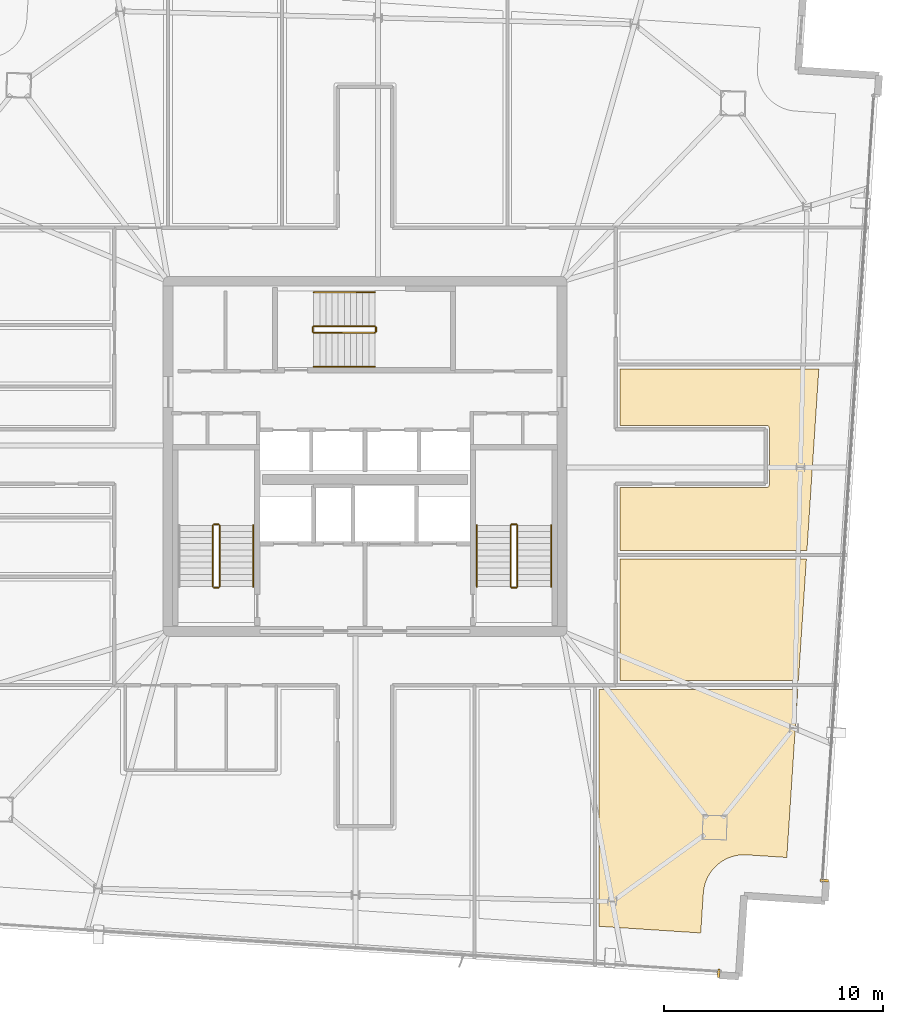
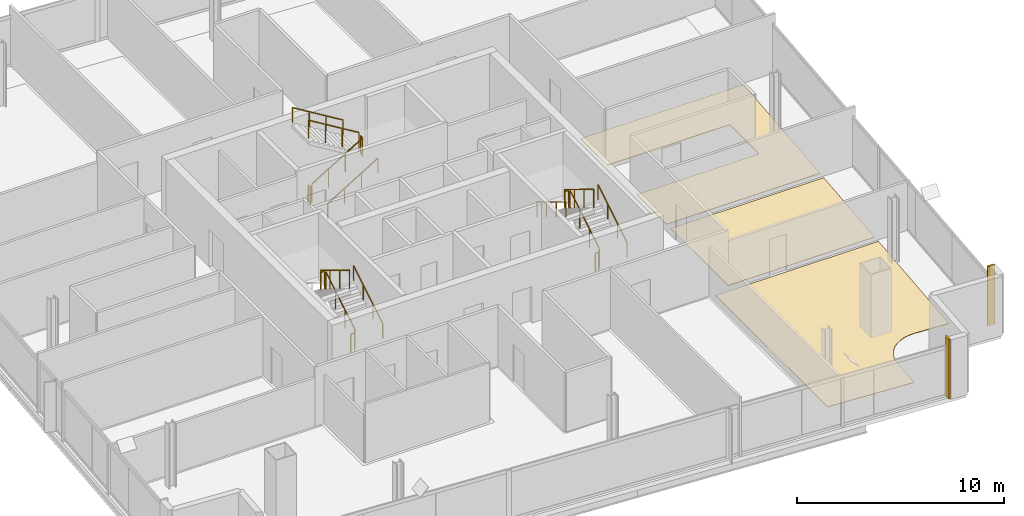
# One storey, part 23 of 24: 17 railings, 5 coverings.
"""IFC4 building model written with IfcOpenShell, lengths in metres."""

from ifc_helpers import new_model, si_unit, direction, frame, origin, origin_2d, place, context, subcontext, project, spatial, polyline, rectangle, outline, extrude, source, transform, mapped, material, layer, layer_set, type_object, element, save


model = new_model("IFC4")

# Units and contexts
model_context = context("Model", 3, precision=1e-05, world=origin(), true_north=direction((0.0, 1.0)))
body_context = subcontext(model_context, "Body", "Model", "MODEL_VIEW")
ifc_project = project(units=[si_unit("LENGTHUNIT", "METRE"), si_unit("AREAUNIT", "SQUARE_METRE"), si_unit("VOLUMEUNIT", "CUBIC_METRE"), si_unit("PLANEANGLEUNIT", "RADIAN"), si_unit("MASSUNIT", "GRAM", prefix="KILO")], contexts=[model_context])

# Site, building, storey
site_placement = place(None, origin())
site = spatial("IfcSite", under=ifc_project, at=site_placement, CompositionType="ELEMENT")
building_placement = place(site_placement, origin())
building = spatial("IfcBuilding", under=site, at=building_placement, Name="Haldenkirk Collegiate Tower", CompositionType="ELEMENT")
storey_placement = place(building_placement, frame((0.0, 0.0, 317.699951171875)))
storey = spatial("IfcBuildingStorey", under=building, at=storey_placement, Name="L80", CompositionType="ELEMENT", Elevation=317.699951171875)

# Coverings
ifc_material_1 = material(Name="Polished collegiate terrazzo", Category="concrete")
ifc_layer_1 = layer(ifc_material_1, 0.02490234375)
ifc_layer_set_1 = layer_set([ifc_layer_1], Name="Polished collegiate terrazzo")
covering_type_1 = type_object("IfcCoveringType", Name="COV-FLOOR-TERRAZZO", PredefinedType="FLOORING", material=ifc_layer_set_1)
covering_1_placement = place(storey_placement, origin())
element("IfcCovering", 1, at=covering_1_placement, inside=storey, type_object=covering_type_1, Name="L80 academic room finish 14", PredefinedType="FLOORING", context=body_context, shape_type="SweptSolid", body=[
    extrude(outline(polyline([(54.35009765625, 24.580078125), (54.36181640625, 24.58056640625), (54.373291015625, 24.582275390625), (54.384765625, 24.585205078125), (54.39599609375, 24.589111328125), (54.406494140625, 24.59423828125), (54.416748046875, 24.60009765625), (54.426025390625, 24.607177734375), (54.434814453125, 24.614990234375), (54.44287109375, 24.623779296875), (54.44970703125, 24.63330078125), (54.455810546875, 24.643310546875), (54.4609375, 24.654052734375), (54.46484375, 24.665283203125), (54.4677734375, 24.676513671875), (54.469482421875, 24.688232421875), (54.469970703125, 24.699951171875), (54.469970703125, 27.300048828125), (54.469482421875, 27.311767578125), (54.4677734375, 27.323486328125), (54.46484375, 27.334716796875), (54.4609375, 27.345947265625), (54.455810546875, 27.356689453125), (54.44970703125, 27.36669921875), (54.44287109375, 27.376220703125), (54.434814453125, 27.385009765625), (54.426025390625, 27.392822265625), (54.416748046875, 27.39990234375), (54.406494140625, 27.40576171875), (54.39599609375, 27.410888671875), (54.384765625, 27.414794921875), (54.373291015625, 27.417724609375), (54.36181640625, 27.41943359375), (54.35009765625, 27.419921875), (47.64990234375, 27.419921875), (47.64990234375, 30.0), (56.736083984375, 30.0), (56.19189453125, 21.699951171875), (47.64990234375, 21.699951171875), (47.64990234375, 24.580078125), (54.35009765625, 24.580078125)])), origin(), (0.0, 0.0, 1.0), 0.025146484375),
])
ifc_material_2 = material(Name="Engineered collegiate oak acoustic flooring", Category="wood")
ifc_layer_2 = layer(ifc_material_2, 0.02197265625)
ifc_layer_set_2 = layer_set([ifc_layer_2], Name="Engineered collegiate oak acoustic flooring")
covering_type_2 = type_object("IfcCoveringType", Name="COV-FLOOR-TIMBER", PredefinedType="FLOORING", material=ifc_layer_set_2)
covering_2_placement = place(storey_placement, origin())
element("IfcCovering", 2, at=covering_2_placement, inside=storey, type_object=covering_type_2, Name="L80 academic room finish 03", PredefinedType="FLOORING", context=body_context, shape_type="SweptSolid", body=[
    extrude(outline(polyline([(52.728515625, 7.696533203125), (52.717529296875, 7.692626953125), (52.557861328125, 7.629638671875), (52.547119140625, 7.624755859375), (52.394287109375, 7.546142578125), (52.384033203125, 7.540283203125), (52.23974609375, 7.447509765625), (52.230224609375, 7.4404296875), (52.095703125, 7.333740234375), (52.0869140625, 7.325927734375), (51.96337890625, 7.20654296875), (51.955322265625, 7.197998046875), (51.84423828125, 7.06689453125), (51.8369140625, 7.0576171875), (51.7392578125, 6.91650390625), (51.733154296875, 6.906494140625), (51.649658203125, 6.75634765625), (51.64453125, 6.74560546875), (51.576171875, 6.588134765625), (51.572021484375, 6.5771484375), (51.51953125, 6.413818359375), (51.516357421875, 6.402099609375), (51.480224609375, 6.234375), (51.478271484375, 6.222900390625), (51.45849609375, 6.05224609375), (51.4580078125, 6.04638671875), (51.33837890625, 4.22021484375), (46.699951171875, 4.524169921875), (46.699951171875, 15.35009765625), (55.77587890625, 15.35009765625), (55.2724609375, 7.67041015625), (53.446533203125, 7.7900390625), (53.440673828125, 7.790283203125), (53.268798828125, 7.793212890625), (53.2568359375, 7.792724609375), (53.085693359375, 7.778564453125), (53.07421875, 7.777099609375), (52.9052734375, 7.746337890625), (52.893798828125, 7.74365234375), (52.728515625, 7.696533203125)])), origin(), (0.0, 0.0, 1.0), 0.02197265625),
])
covering_3_placement = place(storey_placement, origin())
element("IfcCovering", 3, at=covering_3_placement, inside=storey, type_object=covering_type_2, Name="L80 academic room finish 13", PredefinedType="FLOORING", context=body_context, shape_type="SweptSolid", body=[
    extrude(outline(polyline([(55.802001953125, 15.75), (47.64990234375, 15.75), (47.64990234375, 21.300048828125), (56.165771484375, 21.300048828125), (55.802001953125, 15.75)])), origin(), (0.0, 0.0, 1.0), 0.02197265625),
])

# Railings
ifc_material_3 = material(Name="Painted architectural tubular steel", Category="steel")
railing_type_1 = type_object("IfcRailingType", Name="RLG-STAIR-GUARD-1100", PredefinedType="BALUSTRADE", material=ifc_material_3)
railing_1_placement = place(storey_placement, frame((29.35009765625, 20.050048828125, 0.17041015625)))
element("IfcRailing", 4, at=railing_1_placement, inside=storey, type_object=railing_type_1, Name="L80 ST-1 stair guard 1", PredefinedType="BALUSTRADE", context=body_context, shape_type="SweptSolid", body=[
    extrude(rectangle(XDim=0.048095703125, YDim=0.048095703125, at=origin_2d()), frame((0.0, 0.0, 1.076171875), z_axis=(0.0, 0.854169791009, 0.51999420009), x_axis=(-1.0, 0.0, 0.0)), (0.0, 0.0, 1.0), 3.278076171875),
    extrude(rectangle(XDim=0.0419921875, YDim=0.0419921875, at=origin_2d()), origin(), (0.0, 0.0, 1.0), 1.052001953125),
    extrude(rectangle(XDim=0.0419921875, YDim=0.0419921875, at=origin_2d()), frame((0.0, 0.933349609375, 0.568115234375)), (0.0, 0.0, 1.0), 1.052001953125),
    extrude(rectangle(XDim=0.0419921875, YDim=0.0419921875, at=origin_2d()), frame((0.0, 1.86669921875, 1.136474609375)), (0.0, 0.0, 1.0), 1.052001953125),
    extrude(rectangle(XDim=0.0419921875, YDim=0.0419921875, at=origin_2d()), frame((0.0, 2.800048828125, 1.70458984375)), (0.0, 0.0, 1.0), 1.052001953125),
])
railing_2_placement = place(storey_placement, frame((29.300048828125, 22.89990234375, 1.875)))
element("IfcRailing", 5, at=railing_2_placement, inside=storey, type_object=railing_type_1, Name="L80 ST-1 stair guard 2", PredefinedType="BALUSTRADE", context=body_context, shape_type="SweptSolid", body=[
    extrude(rectangle(XDim=0.048095703125, YDim=0.048095703125, at=origin_2d()), frame((0.0, 0.0, 1.076171875), z_axis=(-1.0, 0.0, 0.0), x_axis=(0.0, -1.0, 0.0)), (0.0, 0.0, 1.0), 0.199951171875),
    extrude(rectangle(XDim=0.0419921875, YDim=0.0419921875, at=origin_2d()), origin(), (0.0, 0.0, 1.0), 1.052001953125),
    extrude(rectangle(XDim=0.0419921875, YDim=0.0419921875, at=origin_2d()), frame((-0.199951171875, 0.0, 0.0)), (0.0, 0.0, 1.0), 1.052001953125),
])
railing_3_placement = place(storey_placement, frame((29.050048828125, 22.85009765625, 2.04541015625)))
element("IfcRailing", 6, at=railing_3_placement, inside=storey, type_object=railing_type_1, Name="L80 ST-1 stair guard 3", PredefinedType="BALUSTRADE", context=body_context, shape_type="SweptSolid", body=[
    extrude(rectangle(XDim=0.048095703125, YDim=0.048095703125, at=origin_2d()), frame((0.0, 0.0, 1.076171875), z_axis=(0.0, -0.854169791009, 0.51999420009), x_axis=(1.0, 0.0, 0.0)), (0.0, 0.0, 1.0), 3.278076171875),
    extrude(rectangle(XDim=0.0419921875, YDim=0.0419921875, at=origin_2d()), origin(), (0.0, 0.0, 1.0), 1.052001953125),
    extrude(rectangle(XDim=0.0419921875, YDim=0.0419921875, at=origin_2d()), frame((0.0, -0.933349609375, 0.568115234375)), (0.0, 0.0, 1.0), 1.052001953125),
    extrude(rectangle(XDim=0.0419921875, YDim=0.0419921875, at=origin_2d()), frame((0.0, -1.86669921875, 1.136474609375)), (0.0, 0.0, 1.0), 1.052001953125),
    extrude(rectangle(XDim=0.0419921875, YDim=0.0419921875, at=origin_2d()), frame((0.0, -2.800048828125, 1.70458984375)), (0.0, 0.0, 1.0), 1.052001953125),
])
railing_4_placement = place(storey_placement, frame((29.300048828125, 20.0, 0.0)))
element("IfcRailing", 7, at=railing_4_placement, inside=storey, type_object=railing_type_1, Name="L80 ST-1 stair guard 4", PredefinedType="BALUSTRADE", context=body_context, shape_type="SweptSolid", body=[
    extrude(rectangle(XDim=0.048095703125, YDim=0.048095703125, at=origin_2d()), frame((0.0, 0.0, 1.076171875), z_axis=(-1.0, 0.0, 0.0), x_axis=(0.0, -1.0, 0.0)), (0.0, 0.0, 1.0), 0.199951171875),
    extrude(rectangle(XDim=0.0419921875, YDim=0.0419921875, at=origin_2d()), origin(), (0.0, 0.0, 1.0), 1.052001953125),
    extrude(rectangle(XDim=0.0419921875, YDim=0.0419921875, at=origin_2d()), frame((-0.199951171875, 0.0, 0.0)), (0.0, 0.0, 1.0), 1.052001953125),
])
railing_5_placement = place(storey_placement, frame((42.949951171875, 20.050048828125, 0.17041015625)))
element("IfcRailing", 8, at=railing_5_placement, inside=storey, type_object=railing_type_1, Name="L80 ST-2 stair guard 1", PredefinedType="BALUSTRADE", context=body_context, shape_type="SweptSolid", body=[
    extrude(rectangle(XDim=0.048095703125, YDim=0.048095703125, at=origin_2d()), frame((0.0, 0.0, 1.076171875), z_axis=(0.0, 0.854169791009, 0.51999420009), x_axis=(-1.0, 0.0, 0.0)), (0.0, 0.0, 1.0), 3.278076171875),
    extrude(rectangle(XDim=0.0419921875, YDim=0.0419921875, at=origin_2d()), origin(), (0.0, 0.0, 1.0), 1.052001953125),
    extrude(rectangle(XDim=0.0419921875, YDim=0.0419921875, at=origin_2d()), frame((0.0, 0.933349609375, 0.568115234375)), (0.0, 0.0, 1.0), 1.052001953125),
    extrude(rectangle(XDim=0.0419921875, YDim=0.0419921875, at=origin_2d()), frame((0.0, 1.86669921875, 1.136474609375)), (0.0, 0.0, 1.0), 1.052001953125),
    extrude(rectangle(XDim=0.0419921875, YDim=0.0419921875, at=origin_2d()), frame((0.0, 2.800048828125, 1.70458984375)), (0.0, 0.0, 1.0), 1.052001953125),
])
railing_6_placement = place(storey_placement, frame((42.89990234375, 22.89990234375, 1.875)))
element("IfcRailing", 9, at=railing_6_placement, inside=storey, type_object=railing_type_1, Name="L80 ST-2 stair guard 2", PredefinedType="BALUSTRADE", context=body_context, shape_type="SweptSolid", body=[
    extrude(rectangle(XDim=0.048095703125, YDim=0.048095703125, at=origin_2d()), frame((0.0, 0.0, 1.076171875), z_axis=(-1.0, 0.0, 0.0), x_axis=(0.0, -1.0, 0.0)), (0.0, 0.0, 1.0), 0.199951171875),
    extrude(rectangle(XDim=0.0419921875, YDim=0.0419921875, at=origin_2d()), origin(), (0.0, 0.0, 1.0), 1.052001953125),
    extrude(rectangle(XDim=0.0419921875, YDim=0.0419921875, at=origin_2d()), frame((-0.199951171875, 0.0, 0.0)), (0.0, 0.0, 1.0), 1.052001953125),
])
railing_7_placement = place(storey_placement, frame((42.64990234375, 22.85009765625, 2.04541015625)))
element("IfcRailing", 10, at=railing_7_placement, inside=storey, type_object=railing_type_1, Name="L80 ST-2 stair guard 3", PredefinedType="BALUSTRADE", context=body_context, shape_type="SweptSolid", body=[
    extrude(rectangle(XDim=0.048095703125, YDim=0.048095703125, at=origin_2d()), frame((0.0, 0.0, 1.076171875), z_axis=(0.0, -0.854169791009, 0.51999420009), x_axis=(1.0, 0.0, 0.0)), (0.0, 0.0, 1.0), 3.278076171875),
    extrude(rectangle(XDim=0.0419921875, YDim=0.0419921875, at=origin_2d()), origin(), (0.0, 0.0, 1.0), 1.052001953125),
    extrude(rectangle(XDim=0.0419921875, YDim=0.0419921875, at=origin_2d()), frame((0.0, -0.933349609375, 0.568115234375)), (0.0, 0.0, 1.0), 1.052001953125),
    extrude(rectangle(XDim=0.0419921875, YDim=0.0419921875, at=origin_2d()), frame((0.0, -1.86669921875, 1.136474609375)), (0.0, 0.0, 1.0), 1.052001953125),
    extrude(rectangle(XDim=0.0419921875, YDim=0.0419921875, at=origin_2d()), frame((0.0, -2.800048828125, 1.70458984375)), (0.0, 0.0, 1.0), 1.052001953125),
])
railing_8_placement = place(storey_placement, frame((42.89990234375, 20.0, 0.0)))
element("IfcRailing", 11, at=railing_8_placement, inside=storey, type_object=railing_type_1, Name="L80 ST-2 stair guard 4", PredefinedType="BALUSTRADE", context=body_context, shape_type="SweptSolid", body=[
    extrude(rectangle(XDim=0.048095703125, YDim=0.048095703125, at=origin_2d()), frame((0.0, 0.0, 1.076171875), z_axis=(-1.0, 0.0, 0.0), x_axis=(0.0, -1.0, 0.0)), (0.0, 0.0, 1.0), 0.199951171875),
    extrude(rectangle(XDim=0.0419921875, YDim=0.0419921875, at=origin_2d()), origin(), (0.0, 0.0, 1.0), 1.052001953125),
    extrude(rectangle(XDim=0.0419921875, YDim=0.0419921875, at=origin_2d()), frame((-0.199951171875, 0.0, 0.0)), (0.0, 0.0, 1.0), 1.052001953125),
])
railing_9_placement = place(storey_placement, frame((33.64990234375, 31.64990234375, 0.17041015625)))
element("IfcRailing", 12, at=railing_9_placement, inside=storey, type_object=railing_type_1, Name="L80 ST-3 stair guard 1", PredefinedType="BALUSTRADE", context=body_context, shape_type="SweptSolid", body=[
    extrude(rectangle(XDim=0.048095703125, YDim=0.048095703125, at=origin_2d()), frame((0.0, 0.0, 1.076171875), z_axis=(0.854169791009, 0.0, 0.51999420009), x_axis=(0.0, 1.0, 0.0)), (0.0, 0.0, 1.0), 3.278076171875),
    extrude(rectangle(XDim=0.0419921875, YDim=0.0419921875, at=origin_2d()), origin(), (0.0, 0.0, 1.0), 1.052001953125),
    extrude(rectangle(XDim=0.0419921875, YDim=0.0419921875, at=origin_2d()), frame((0.933349609375, 0.0, 0.568115234375)), (0.0, 0.0, 1.0), 1.052001953125),
    extrude(rectangle(XDim=0.0419921875, YDim=0.0419921875, at=origin_2d()), frame((1.86669921875, 0.0, 1.136474609375)), (0.0, 0.0, 1.0), 1.052001953125),
    extrude(rectangle(XDim=0.0419921875, YDim=0.0419921875, at=origin_2d()), frame((2.800048828125, 0.0, 1.70458984375)), (0.0, 0.0, 1.0), 1.052001953125),
])
railing_10_placement = place(storey_placement, frame((36.5, 31.699951171875, 1.875)))
element("IfcRailing", 13, at=railing_10_placement, inside=storey, type_object=railing_type_1, Name="L80 ST-3 stair guard 2", PredefinedType="BALUSTRADE", context=body_context, shape_type="SweptSolid", body=[
    extrude(rectangle(XDim=0.048095703125, YDim=0.048095703125, at=origin_2d()), frame((0.0, 0.0, 1.076171875), z_axis=(0.0, 1.0, 0.0), x_axis=(-1.0, 0.0, 0.0)), (0.0, 0.0, 1.0), 0.199951171875),
    extrude(rectangle(XDim=0.0419921875, YDim=0.0419921875, at=origin_2d()), origin(), (0.0, 0.0, 1.0), 1.052001953125),
    extrude(rectangle(XDim=0.0419921875, YDim=0.0419921875, at=origin_2d()), frame((0.0, 0.199951171875, 0.0)), (0.0, 0.0, 1.0), 1.052001953125),
])
railing_11_placement = place(storey_placement, frame((36.449951171875, 31.949951171875, 2.04541015625)))
element("IfcRailing", 14, at=railing_11_placement, inside=storey, type_object=railing_type_1, Name="L80 ST-3 stair guard 3", PredefinedType="BALUSTRADE", context=body_context, shape_type="SweptSolid", body=[
    extrude(rectangle(XDim=0.048095703125, YDim=0.048095703125, at=origin_2d()), frame((0.0, 0.0, 1.076171875), z_axis=(-0.854169791009, 0.0, 0.51999420009), x_axis=(0.0, -1.0, 0.0)), (0.0, 0.0, 1.0), 3.278076171875),
    extrude(rectangle(XDim=0.0419921875, YDim=0.0419921875, at=origin_2d()), origin(), (0.0, 0.0, 1.0), 1.052001953125),
    extrude(rectangle(XDim=0.0419921875, YDim=0.0419921875, at=origin_2d()), frame((-0.933349609375, 0.0, 0.568115234375)), (0.0, 0.0, 1.0), 1.052001953125),
    extrude(rectangle(XDim=0.0419921875, YDim=0.0419921875, at=origin_2d()), frame((-1.86669921875, 0.0, 1.136474609375)), (0.0, 0.0, 1.0), 1.052001953125),
    extrude(rectangle(XDim=0.0419921875, YDim=0.0419921875, at=origin_2d()), frame((-2.800048828125, 0.0, 1.70458984375)), (0.0, 0.0, 1.0), 1.052001953125),
])
railing_12_placement = place(storey_placement, frame((33.60009765625, 31.699951171875, 0.0)))
element("IfcRailing", 15, at=railing_12_placement, inside=storey, type_object=railing_type_1, Name="L80 ST-3 stair guard 4", PredefinedType="BALUSTRADE", context=body_context, shape_type="SweptSolid", body=[
    extrude(rectangle(XDim=0.048095703125, YDim=0.048095703125, at=origin_2d()), frame((0.0, 0.0, 1.076171875), z_axis=(0.0, 1.0, 0.0), x_axis=(-1.0, 0.0, 0.0)), (0.0, 0.0, 1.0), 0.199951171875),
    extrude(rectangle(XDim=0.0419921875, YDim=0.0419921875, at=origin_2d()), origin(), (0.0, 0.0, 1.0), 1.052001953125),
    extrude(rectangle(XDim=0.0419921875, YDim=0.0419921875, at=origin_2d()), frame((0.0, 0.199951171875, 0.0)), (0.0, 0.0, 1.0), 1.052001953125),
])
railing_type_2 = type_object("IfcRailingType", Name="RLG-STAIR-HANDRAIL-900", PredefinedType="HANDRAIL", material=ifc_material_3)
for number, where, name in (
    (16, (30.89990234375, 20.050048828125, 0.17041015625), "L80 ST-1 stair handrail 1"),
    (17, (44.5, 20.050048828125, 0.17041015625), "L80 ST-2 stair handrail 1"),
):
    element("IfcRailing", number, at=place(storey_placement, frame(where)), inside=storey, type_object=railing_type_2, Name=name, PredefinedType="HANDRAIL", context=body_context, shape_type="SweptSolid", body=[
        extrude(rectangle(XDim=0.048095703125, YDim=0.048095703125, at=origin_2d()), frame((0.0, 0.0, 0.8759765625), z_axis=(0.0, 0.854169791009, 0.51999420009), x_axis=(-1.0, 0.0, 0.0)), (0.0, 0.0, 1.0), 3.278076171875),
        extrude(rectangle(XDim=0.0419921875, YDim=0.0419921875, at=origin_2d()), origin(), (0.0, 0.0, 1.0), 0.851806640625),
        extrude(rectangle(XDim=0.0419921875, YDim=0.0419921875, at=origin_2d()), frame((0.0, 0.933349609375, 0.568115234375)), (0.0, 0.0, 1.0), 0.851806640625),
        extrude(rectangle(XDim=0.0419921875, YDim=0.0419921875, at=origin_2d()), frame((0.0, 1.86669921875, 1.136474609375)), (0.0, 0.0, 1.0), 0.851806640625),
        extrude(rectangle(XDim=0.0419921875, YDim=0.0419921875, at=origin_2d()), frame((0.0, 2.800048828125, 1.70458984375)), (0.0, 0.0, 1.0), 0.851806640625),
    ])
railing_13_placement = place(storey_placement, frame((41.10009765625, 22.85009765625, 2.04541015625)))
element("IfcRailing", 18, at=railing_13_placement, inside=storey, type_object=railing_type_2, Name="L80 ST-2 stair handrail 2", PredefinedType="HANDRAIL", context=body_context, shape_type="SweptSolid", body=[
    extrude(rectangle(XDim=0.048095703125, YDim=0.048095703125, at=origin_2d()), frame((0.0, 0.0, 0.8759765625), z_axis=(0.0, -0.854169791009, 0.51999420009), x_axis=(1.0, 0.0, 0.0)), (0.0, 0.0, 1.0), 3.278076171875),
    extrude(rectangle(XDim=0.0419921875, YDim=0.0419921875, at=origin_2d()), origin(), (0.0, 0.0, 1.0), 0.851806640625),
    extrude(rectangle(XDim=0.0419921875, YDim=0.0419921875, at=origin_2d()), frame((0.0, -0.933349609375, 0.568115234375)), (0.0, 0.0, 1.0), 0.851806640625),
    extrude(rectangle(XDim=0.0419921875, YDim=0.0419921875, at=origin_2d()), frame((0.0, -1.86669921875, 1.136474609375)), (0.0, 0.0, 1.0), 0.851806640625),
    extrude(rectangle(XDim=0.0419921875, YDim=0.0419921875, at=origin_2d()), frame((0.0, -2.800048828125, 1.70458984375)), (0.0, 0.0, 1.0), 0.851806640625),
])
railing_14_placement = place(storey_placement, frame((33.64990234375, 30.10009765625, 0.17041015625)))
element("IfcRailing", 19, at=railing_14_placement, inside=storey, type_object=railing_type_2, Name="L80 ST-3 stair handrail 1", PredefinedType="HANDRAIL", context=body_context, shape_type="SweptSolid", body=[
    extrude(rectangle(XDim=0.048095703125, YDim=0.048095703125, at=origin_2d()), frame((0.0, 0.0, 0.8759765625), z_axis=(0.854169791009, 0.0, 0.51999420009), x_axis=(0.0, 1.0, 0.0)), (0.0, 0.0, 1.0), 3.278076171875),
    extrude(rectangle(XDim=0.0419921875, YDim=0.0419921875, at=origin_2d()), origin(), (0.0, 0.0, 1.0), 0.851806640625),
    extrude(rectangle(XDim=0.0419921875, YDim=0.0419921875, at=origin_2d()), frame((0.933349609375, 0.0, 0.568115234375)), (0.0, 0.0, 1.0), 0.851806640625),
    extrude(rectangle(XDim=0.0419921875, YDim=0.0419921875, at=origin_2d()), frame((1.86669921875, 0.0, 1.136474609375)), (0.0, 0.0, 1.0), 0.851806640625),
    extrude(rectangle(XDim=0.0419921875, YDim=0.0419921875, at=origin_2d()), frame((2.800048828125, 0.0, 1.70458984375)), (0.0, 0.0, 1.0), 0.851806640625),
])
railing_15_placement = place(storey_placement, frame((36.449951171875, 33.5, 2.04541015625)))
element("IfcRailing", 20, at=railing_15_placement, inside=storey, type_object=railing_type_2, Name="L80 ST-3 stair handrail 2", PredefinedType="HANDRAIL", context=body_context, shape_type="SweptSolid", body=[
    extrude(rectangle(XDim=0.048095703125, YDim=0.048095703125, at=origin_2d()), frame((0.0, 0.0, 0.8759765625), z_axis=(-0.854169791009, 0.0, 0.51999420009), x_axis=(0.0, -1.0, 0.0)), (0.0, 0.0, 1.0), 3.278076171875),
    extrude(rectangle(XDim=0.0419921875, YDim=0.0419921875, at=origin_2d()), origin(), (0.0, 0.0, 1.0), 0.851806640625),
    extrude(rectangle(XDim=0.0419921875, YDim=0.0419921875, at=origin_2d()), frame((-0.933349609375, 0.0, 0.568115234375)), (0.0, 0.0, 1.0), 0.851806640625),
    extrude(rectangle(XDim=0.0419921875, YDim=0.0419921875, at=origin_2d()), frame((-1.86669921875, 0.0, 1.136474609375)), (0.0, 0.0, 1.0), 0.851806640625),
    extrude(rectangle(XDim=0.0419921875, YDim=0.0419921875, at=origin_2d()), frame((-2.800048828125, 0.0, 1.70458984375)), (0.0, 0.0, 1.0), 0.851806640625),
])

# Coverings
ifc_material_4 = material(Name="Anodised architectural bronze aluminium", Category="aluminium")
ifc_layer_3 = layer(ifc_material_4, 0.06005859375)
ifc_layer_set_3 = layer_set([ifc_layer_3], Name="Anodised architectural bronze aluminium")
covering_type_3 = type_object("IfcCoveringType", Name="COV-CLAD-BRONZE-60", PredefinedType="CLADDING", material=ifc_layer_set_3)
shared_shape = source(origin(), body_context, "Body", "SweptSolid", [
    extrude(rectangle(XDim=0.10009765625, YDim=0.3798828125, at=origin_2d()), origin(), (0.0, 0.0, 1.0), 3.489990234375),
])
for number, where, z_axis, x_axis, name in (
    (21, (56.9873046875, 6.615966796875, 0.0), (0.0, 0.0, 1.0), (-0.06540312923, -0.997858923239, 0.0), "L80 recessed curtain-wall bronze jamb closure SJR"),
    (22, (52.159912109375, 2.382568359375, 0.0), (0.0, 0.0, 1.0), (-0.997858923239, 0.06540312923, 0.0), "L80 recessed curtain-wall bronze jamb closure WJL"),
):
    element("IfcCovering", number, at=place(storey_placement, frame(where, z_axis=z_axis, x_axis=x_axis)), inside=storey, type_object=covering_type_3, Name=name, PredefinedType="CLADDING", context=body_context, shape_type="MappedRepresentation", body=[
        mapped(shared_shape, transform((0.0, 0.0, 0.0), x_axis=(1.0, 0.0, 0.0), y_axis=(0.0, 1.0, 0.0), z_axis=(0.0, 0.0, 1.0), scale=1.0)),
    ])

save(model, "model.ifc")
